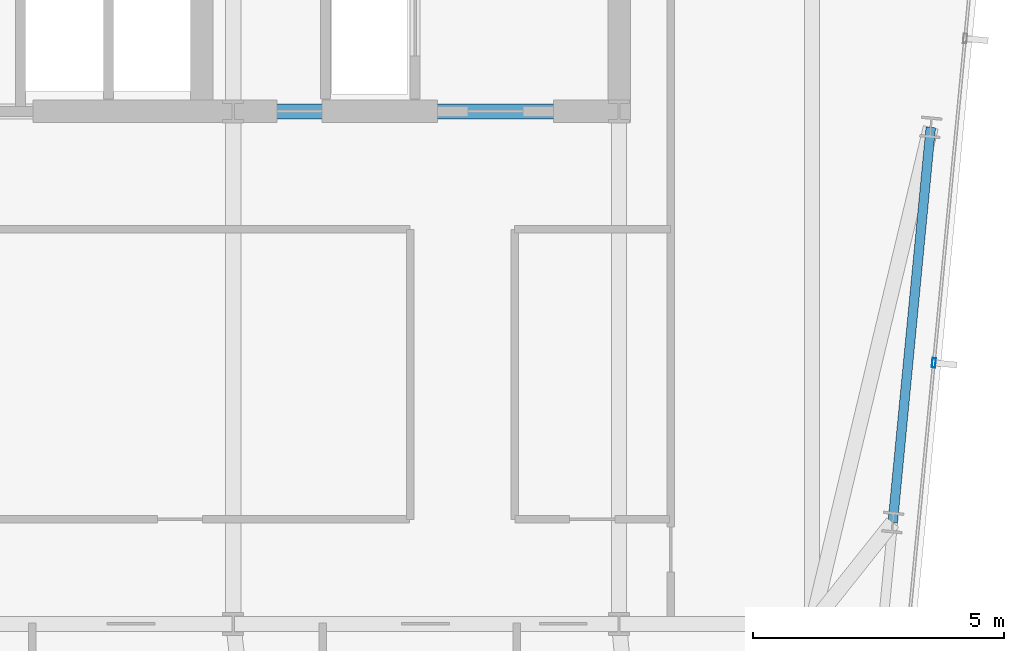
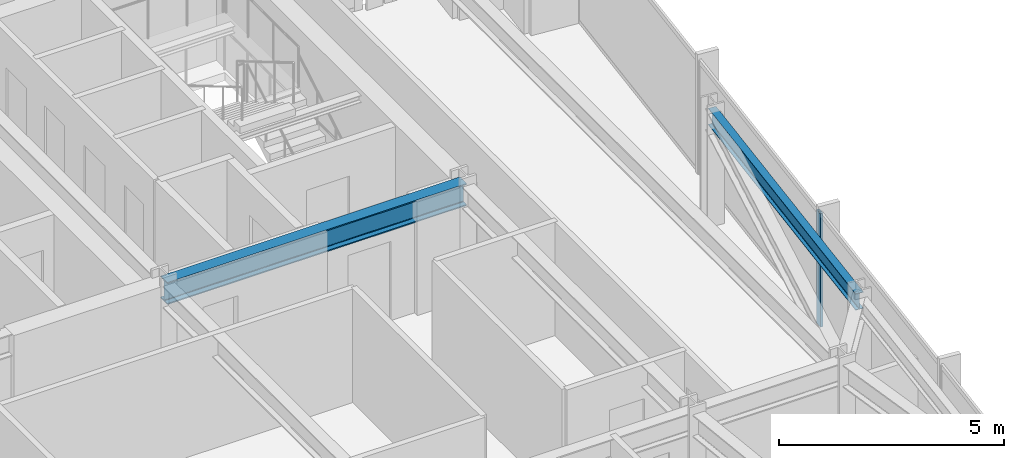
# One storey, part 18 of 37: 2 beams, 1 member, 1 element without a shape of its own.
"""IFC4 building model written with IfcOpenShell, lengths in metres."""

from ifc_helpers import new_model, si_unit, direction, frame, origin, origin_2d, place, context, subcontext, project, spatial, hollow_rectangle, i_section, extrude, material, material_profile, profile_set, type_object, element, aggregate, save


model = new_model("IFC4")

# Units and contexts
model_context = context("Model", 3, precision=1e-05, world=origin(), true_north=direction((0.0, 1.0)))
body_context = subcontext(model_context, "Body", "Model", "MODEL_VIEW")
ifc_project = project(units=[si_unit("LENGTHUNIT", "METRE"), si_unit("AREAUNIT", "SQUARE_METRE"), si_unit("VOLUMEUNIT", "CUBIC_METRE"), si_unit("PLANEANGLEUNIT", "RADIAN"), si_unit("MASSUNIT", "GRAM", prefix="KILO")], contexts=[model_context])

# Site, building, storey
site_placement = place(None, origin())
site = spatial("IfcSite", under=ifc_project, at=site_placement, CompositionType="ELEMENT")
building_placement = place(site_placement, origin())
building = spatial("IfcBuilding", under=site, at=building_placement, Name="Yelkora Congress Tower", CompositionType="ELEMENT")
storey_placement = place(building_placement, frame((0.0, 0.0, 158.89990234375)))
storey = spatial("IfcBuildingStorey", under=building, at=storey_placement, Name="L43", CompositionType="ELEMENT", Elevation=158.89990234375)

# Beams
ifc_material_1 = material(Name="Steel S355J2", Category="steel")
ifc_material_profile_1 = material_profile(ifc_material_1, i_section(OverallWidth=0.300048828125, OverallDepth=0.60009765625, WebThickness=0.015380859375, FlangeThickness=0.030029296875, FilletRadius=0.027099609375, at=origin_2d()), Name="HEB 600")
ifc_profile_set_1 = profile_set([ifc_material_profile_1], Name="Steel S355J2")
beam_type_1 = type_object("IfcBeamType", Name="BM-GIRD-HEB600", PredefinedType="BEAM", material=ifc_profile_set_1)
beam_1_placement = place(storey_placement, frame((46.080078125, 35.39990234375, 2.780029296875), z_axis=(1.0, 0.0, 0.0), x_axis=(0.0, 1.0, 0.0)))
element("IfcBeam", 1, at=beam_1_placement, inside=storey, type_object=beam_type_1, Name="L43 Core South Girder 4", PredefinedType="BEAM", context=body_context, shape_type="SweptSolid", body=[
    extrude(i_section(OverallWidth=0.300048828125, OverallDepth=0.60009765625, WebThickness=0.015380859375, FlangeThickness=0.030029296875, FilletRadius=0.027099609375, at=origin_2d()), origin(), (0.0, 0.0, 1.0), 7.679931640625),
])
ifc_material_profile_2 = material_profile(ifc_material_1, i_section(OverallWidth=0.18994140625, OverallDepth=0.449951171875, WebThickness=0.009521484375, FlangeThickness=0.0146484375, FilletRadius=0.02099609375, at=origin_2d()), Name="IPE 450")
ifc_profile_set_2 = profile_set([ifc_material_profile_2], Name="Steel S355J2")
beam_type_2 = type_object("IfcBeamType", Name="BM-SPAN-IPE450", PredefinedType="SPANDREL", material=ifc_profile_set_2)
beam_2_placement = place(storey_placement, frame((59.206298828125, 27.217529296875, 2.85498046875), z_axis=(0.095834301903, 0.99539730087, 0.0), x_axis=(-0.99539730087, 0.095834301903, 0.0)))
element("IfcBeam", 2, at=beam_2_placement, inside=storey, type_object=beam_type_2, Name="L43 Perimeter Beam 11", PredefinedType="SPANDREL", context=body_context, shape_type="SweptSolid", body=[
    extrude(i_section(OverallWidth=0.18994140625, OverallDepth=0.449951171875, WebThickness=0.009521484375, FlangeThickness=0.0146484375, FilletRadius=0.02099609375, at=origin_2d()), origin(), (0.0, 0.0, 1.0), 7.89990234375),
])

# Curtain wall, member
ifc_material_2 = material(Name="Anodised aluminium and insulated glass", Category="aluminium")
curtain_wall_type = type_object("IfcCurtainWallType", Name="CW-SYS-B3", PredefinedType="NOTDEFINED", material=ifc_material_2)
curtain_wall_placement = place(storey_placement, origin())
curtain_wall = element("IfcCurtainWall", 3, at=curtain_wall_placement, inside=storey, type_object=curtain_wall_type, Name="L43 Unitised Curtain Wall 15", PredefinedType="NOTDEFINED")
ifc_material_3 = material(Name="Anodised aluminium 6063-T6", Category="aluminium")
ifc_material_profile_3 = material_profile(ifc_material_3, hollow_rectangle(XDim=0.070068359375, YDim=0.18994140625, WallThickness=0.00390625, at=origin_2d()), Name="ALU 70x190x4")
ifc_profile_set_3 = profile_set([ifc_material_profile_3], Name="Anodised aluminium 6063-T6")
member_type = type_object("IfcMemberType", Name="MEM-ML-B3", PredefinedType="MULLION", material=ifc_profile_set_3)
member_placement = place(storey_placement, frame((60.024658203125, 30.395751953125, 0.0), z_axis=(0.0, 0.0, 1.0), x_axis=(0.995396565076, -0.095841944023, 0.0)))
member = element("IfcMember", 4, at=member_placement, type_object=member_type, Name="CW-B3 mullion 3", PredefinedType="MULLION", context=body_context, shape_type="SweptSolid", body=[
    extrude(hollow_rectangle(XDim=0.070068359375, YDim=0.18994140625, WallThickness=0.00390625, at=origin_2d()), origin(), (0.0, 0.0, 1.0), 3.080078125),
])
aggregate(curtain_wall, [member])

save(model, "model.ifc")
